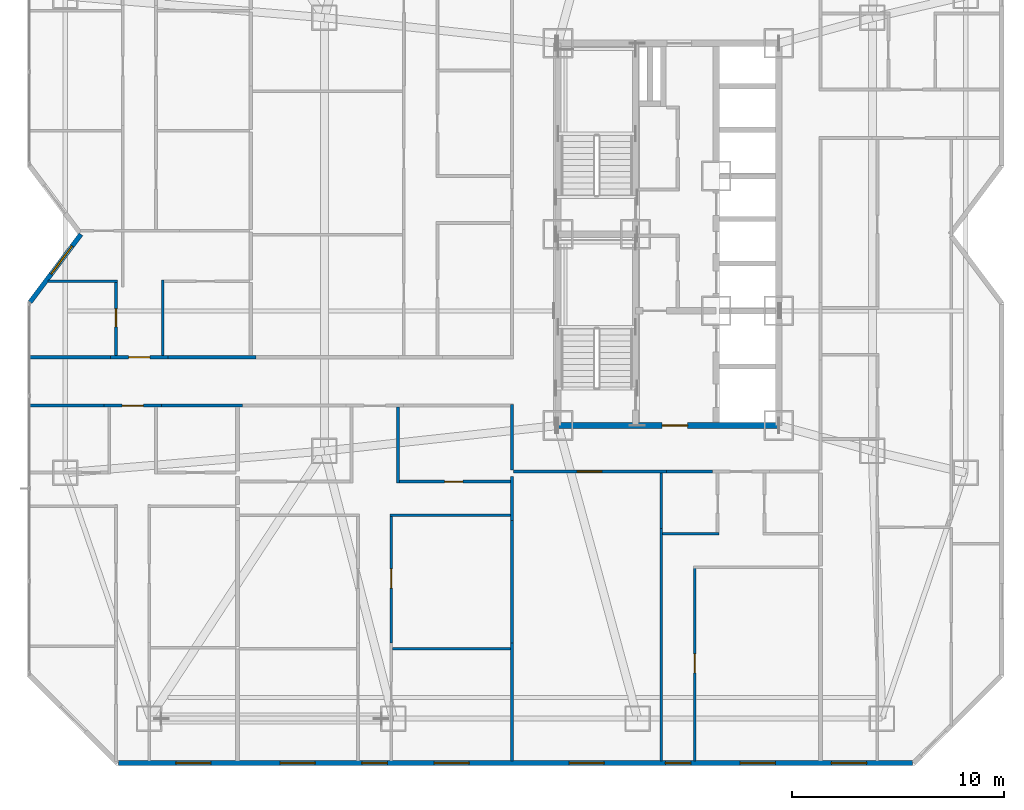
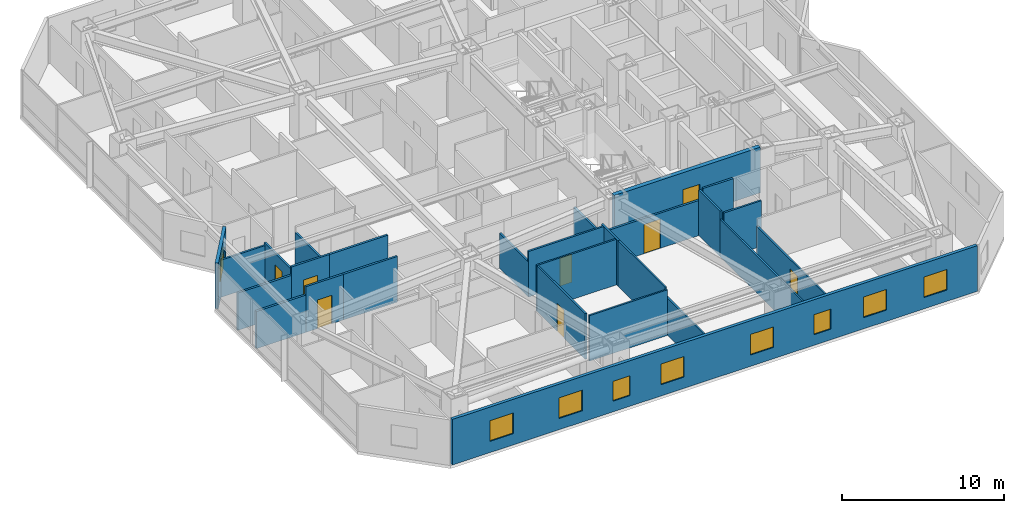
# One storey, part 18 of 25: 27 walls, 9 windows, 8 doors, 17 openings.
"""IFC4 building model written with IfcOpenShell, lengths in metres."""

from ifc_helpers import new_model, si_unit, direction, frame, frame_2d, origin, place, context, subcontext, project, spatial, rectangle, extrude, material, layer, layer_set, type_object, element, fill, save


model = new_model("IFC4")

# Units and contexts
model_context = context("Model", 3, precision=1e-05, world=origin(), true_north=direction((0.0, 1.0)))
body_context = subcontext(model_context, "Body", "Model", "MODEL_VIEW")
ifc_project = project(units=[si_unit("LENGTHUNIT", "METRE"), si_unit("AREAUNIT", "SQUARE_METRE"), si_unit("VOLUMEUNIT", "CUBIC_METRE"), si_unit("PLANEANGLEUNIT", "RADIAN"), si_unit("MASSUNIT", "GRAM", prefix="KILO")], contexts=[model_context])

# Site, building, storey
site_placement = place(None, origin())
site = spatial("IfcSite", under=ifc_project, at=site_placement, CompositionType="ELEMENT")
building_placement = place(site_placement, origin())
building = spatial("IfcBuilding", under=site, at=building_placement, Name="Khamvora Tower", CompositionType="ELEMENT")
storey_placement = place(building_placement, frame((0.0, 0.0, 36.949951171875)))
storey = spatial("IfcBuildingStorey", under=building, at=storey_placement, Name="L08", CompositionType="ELEMENT", Elevation=36.949951171875)

# Wall, opening, door
ifc_material_1 = material(Name="Concrete C50/60", Category="concrete")
ifc_layer_1 = layer(ifc_material_1, 0.300048828125)
ifc_layer_set_1 = layer_set([ifc_layer_1], Name="Concrete C50/60")
wall_type_1 = type_object("IfcWallType", Name="WAL-CORE-300", PredefinedType="SHEAR", material=ifc_layer_set_1)
wall_1_placement = place(storey_placement, frame((29.0, 19.0, 0.0), z_axis=(0.0, 0.0, 1.0), x_axis=(1.0, 0.0, 0.0)))
wall_1 = element("IfcWall", 1, at=wall_1_placement, inside=storey, type_object=wall_type_1, Name="L08 central core south wall", PredefinedType="SHEAR", context=body_context, shape_type="SweptSolid", body=[
    extrude(rectangle(XDim=10.39990234375, YDim=0.300048828125, at=frame_2d((5.199951171875, 0.0))), origin(), (0.0, 0.0, 1.0), 3.429931640625),
])
opening_1_placement = place(wall_1_placement, frame((4.89990234375, 0.0, 0.0)))
opening_1 = element("IfcOpeningElement", 2, at=opening_1_placement, cuts=wall_1, Name="Opening D-CR1", PredefinedType="OPENING", context=body_context, shape_type="SweptSolid", body=[
    extrude(rectangle(XDim=1.199951171875, YDim=2.14990234375, at=frame_2d((0.60009765625, 1.074951171875))), frame((0.0, 0.159912109375, 0.0), z_axis=(0.0, -1.0, 0.0), x_axis=(1.0, 0.0, 0.0)), (0.0, 0.0, 1.0), 0.320068359375),
])
ifc_material_2 = material(Name="Powder-Coated Steel and Hardwood Leaf", Category="steel")
door_type_1 = type_object("IfcDoorType", Name="DOR-CORR-1200", OperationType="NOTDEFINED", PredefinedType="DOOR", material=ifc_material_2)
door_1_placement = place(opening_1_placement, origin())
door_1 = element("IfcDoor", 3, at=door_1_placement, inside=storey, type_object=door_type_1, Name="L08 south core lobby to corridor fire door", OperationType="SINGLE_SWING_RIGHT", OverallHeight=2.14990234375, OverallWidth=1.199951171875, PredefinedType="DOOR", context=body_context, shape_type="SweptSolid", body=[
    extrude(rectangle(XDim=1.199951171875, YDim=2.14990234375, at=frame_2d((0.60009765625, 1.074951171875))), frame((0.0, 0.02490234375, 0.0), z_axis=(0.0, -1.0, 0.0), x_axis=(1.0, 0.0, 0.0)), (0.0, 0.0, 1.0), 0.050048828125),
])
fill(opening_1, door_1)

ifc_material_3 = material(Name="Fire-Rated Drywall and Steel Stud", Category="steel")
ifc_layer_2 = layer(ifc_material_3, 0.14990234375)
ifc_layer_set_2 = layer_set([ifc_layer_2], Name="Fire-Rated Drywall and Steel Stud")
wall_type_2 = type_object("IfcWallType", Name="WAL-CORR-150", PredefinedType="STANDARD", material=ifc_layer_set_2)
wall_2_placement = place(storey_placement, frame((34.114013671875, 16.8349609375, 0.0), z_axis=(0.0, 0.0, 1.0), x_axis=(-1.0, 0.0, 0.0)))
wall_2 = element("IfcWall", 4, at=wall_2_placement, inside=storey, type_object=wall_type_2, Name="L08 interior partition wall 006", PredefinedType="STANDARD", context=body_context, shape_type="SweptSolid", body=[
    extrude(rectangle(XDim=7.214111328125, YDim=0.14990234375, at=frame_2d((3.60693359375, 0.0))), origin(), (0.0, 0.0, 1.0), 2.64697265625),
])
opening_2_placement = place(wall_2_placement, frame((3.052978515625, 0.0, 0.0)))
opening_2 = element("IfcOpeningElement", 5, at=opening_2_placement, cuts=wall_2, Name="Opening D-SC1", PredefinedType="OPENING", context=body_context, shape_type="SweptSolid", body=[
    extrude(rectangle(XDim=1.14990234375, YDim=2.199951171875, at=frame_2d((0.574951171875, 1.10009765625))), frame((0.0, 0.0849609375, 0.0), z_axis=(0.0, -1.0, 0.0), x_axis=(1.0, 0.0, 0.0)), (0.0, 0.0, 1.0), 0.169921875),
])
door_type_2 = type_object("IfcDoorType", Name="DOR-SCHL-1150", OperationType="NOTDEFINED", PredefinedType="DOOR", material=ifc_material_2)
door_2_placement = place(opening_2_placement, origin())
door_2 = element("IfcDoor", 6, at=door_2_placement, inside=storey, type_object=door_type_2, Name="L08 interior door COR-RLIB", OperationType="SINGLE_SWING_RIGHT", OverallHeight=2.199951171875, OverallWidth=1.14990234375, PredefinedType="DOOR", context=body_context, shape_type="SweptSolid", body=[
    extrude(rectangle(XDim=1.14990234375, YDim=2.199951171875, at=frame_2d((0.574951171875, 1.10009765625))), frame((0.0, 0.02490234375, 0.0), z_axis=(0.0, -1.0, 0.0), x_axis=(1.0, 0.0, 0.0)), (0.0, 0.0, 1.0), 0.050048828125),
])
fill(opening_2, door_2)

wall_3_placement = place(storey_placement, frame((10.323974609375, 19.93505859375, 0.0), z_axis=(0.0, 0.0, 1.0), x_axis=(-1.0, 0.0, 0.0)))
wall_3 = element("IfcWall", 7, at=wall_3_placement, inside=storey, type_object=wall_type_2, Name="L08 interior partition wall 007", PredefinedType="STANDARD", context=body_context, shape_type="SweptSolid", body=[
    extrude(rectangle(XDim=2.697998046875, YDim=0.14990234375, at=frame_2d((1.34912109375, 0.0))), origin(), (0.0, 0.0, 1.0), 3.429931640625),
])
opening_3_placement = place(wall_3_placement, frame((0.84912109375, 0.0, 0.0)))
opening_3 = element("IfcOpeningElement", 8, at=opening_3_placement, cuts=wall_3, Name="Opening D-U1", PredefinedType="OPENING", context=body_context, shape_type="SweptSolid", body=[
    extrude(rectangle(XDim=1.0, YDim=2.14990234375, at=frame_2d((0.5, 1.074951171875))), frame((0.0, 0.0849609375, 0.0), z_axis=(0.0, -1.0, 0.0), x_axis=(1.0, 0.0, 0.0)), (0.0, 0.0, 1.0), 0.169921875),
])
door_type_3 = type_object("IfcDoorType", Name="DOR-UNIT-1000", OperationType="NOTDEFINED", PredefinedType="DOOR", material=ifc_material_2)
door_3_placement = place(opening_3_placement, origin())
door_3 = element("IfcDoor", 9, at=door_3_placement, inside=storey, type_object=door_type_3, Name="L08 interior door COR-08WAH", OperationType="SINGLE_SWING_LEFT", OverallHeight=2.14990234375, OverallWidth=1.0, PredefinedType="DOOR", context=body_context, shape_type="SweptSolid", body=[
    extrude(rectangle(XDim=1.0, YDim=2.14990234375, at=frame_2d((0.5, 1.074951171875))), frame((0.0, 0.02490234375, 0.0), z_axis=(0.0, -1.0, 0.0), x_axis=(1.0, 0.0, 0.0)), (0.0, 0.0, 1.0), 0.050048828125),
])
fill(opening_3, door_3)

# Walls
wall_4_placement = place(storey_placement, frame((7.6259765625, 19.93505859375, 0.0), z_axis=(0.0, 0.0, 1.0), x_axis=(-1.0, 0.0, 0.0)))
element("IfcWall", 10, at=wall_4_placement, inside=storey, type_object=wall_type_2, Name="L08 interior partition wall 008", PredefinedType="STANDARD", context=body_context, shape_type="SweptSolid", body=[
    extrude(rectangle(XDim=3.515869140625, YDim=0.14990234375, at=frame_2d((1.7578125, 0.0))), origin(), (0.0, 0.0, 1.0), 2.802978515625),
])
wall_5_placement = place(storey_placement, frame((14.154052734375, 19.93505859375, 0.0), z_axis=(0.0, 0.0, 1.0), x_axis=(-1.0, 0.0, 0.0)))
element("IfcWall", 11, at=wall_5_placement, inside=storey, type_object=wall_type_2, Name="L08 interior partition wall 009", PredefinedType="STANDARD", context=body_context, shape_type="SweptSolid", body=[
    extrude(rectangle(XDim=3.830078125, YDim=0.14990234375, at=frame_2d((1.9150390625, 0.0))), origin(), (0.0, 0.0, 1.0), 3.429931640625),
])
wall_6_placement = place(storey_placement, frame((26.8349609375, 16.89990234375, 0.0), z_axis=(0.0, 0.0, 1.0), x_axis=(0.0, 1.0, 0.0)))
element("IfcWall", 12, at=wall_6_placement, inside=storey, type_object=wall_type_2, Name="L08 interior partition wall 011", PredefinedType="STANDARD", context=body_context, shape_type="SweptSolid", body=[
    extrude(rectangle(XDim=3.10009765625, YDim=0.14990234375, at=frame_2d((1.550048828125, 0.0))), origin(), (0.0, 0.0, 1.0), 2.64697265625),
])

# Wall, opening, door
wall_7_placement = place(storey_placement, frame((7.93994140625, 22.215087890625, 0.0), z_axis=(0.0, 0.0, 1.0), x_axis=(1.0, 0.0, 0.0)))
wall_7 = element("IfcWall", 13, at=wall_7_placement, inside=storey, type_object=wall_type_2, Name="L08 interior partition wall 014", PredefinedType="STANDARD", context=body_context, shape_type="SweptSolid", body=[
    extrude(rectangle(XDim=2.697998046875, YDim=0.14990234375, at=frame_2d((1.34912109375, 0.0))), origin(), (0.0, 0.0, 1.0), 3.429931640625),
])
opening_4_placement = place(wall_7_placement, frame((0.84912109375, 0.0, 0.0)))
opening_4 = element("IfcOpeningElement", 14, at=opening_4_placement, cuts=wall_7, Name="Opening D-U1", PredefinedType="OPENING", context=body_context, shape_type="SweptSolid", body=[
    extrude(rectangle(XDim=1.0, YDim=2.14990234375, at=frame_2d((0.5, 1.074951171875))), frame((0.0, 0.0849609375, 0.0), z_axis=(0.0, -1.0, 0.0), x_axis=(1.0, 0.0, 0.0)), (0.0, 0.0, 1.0), 0.169921875),
])
door_4_placement = place(opening_4_placement, origin())
door_4 = element("IfcDoor", 15, at=door_4_placement, inside=storey, type_object=door_type_3, Name="L08 interior door COR-08WC1H", OperationType="SINGLE_SWING_LEFT", OverallHeight=2.14990234375, OverallWidth=1.0, PredefinedType="DOOR", context=body_context, shape_type="SweptSolid", body=[
    extrude(rectangle(XDim=1.0, YDim=2.14990234375, at=frame_2d((0.5, 1.074951171875))), frame((0.0, 0.02490234375, 0.0), z_axis=(0.0, -1.0, 0.0), x_axis=(1.0, 0.0, 0.0)), (0.0, 0.0, 1.0), 0.050048828125),
])
fill(opening_4, door_4)

# Walls
wall_8_placement = place(storey_placement, frame((4.110107421875, 22.215087890625, 0.0), z_axis=(0.0, 0.0, 1.0), x_axis=(1.0, 0.0, 0.0)))
element("IfcWall", 16, at=wall_8_placement, inside=storey, type_object=wall_type_2, Name="L08 interior partition wall 015", PredefinedType="STANDARD", context=body_context, shape_type="SweptSolid", body=[
    extrude(rectangle(XDim=3.829833984375, YDim=0.14990234375, at=frame_2d((1.9150390625, 0.0))), origin(), (0.0, 0.0, 1.0), 2.802978515625),
])
wall_9_placement = place(storey_placement, frame((10.637939453125, 22.215087890625, 0.0), z_axis=(0.0, 0.0, 1.0), x_axis=(1.0, 0.0, 0.0)))
element("IfcWall", 17, at=wall_9_placement, inside=storey, type_object=wall_type_2, Name="L08 interior partition wall 016", PredefinedType="STANDARD", context=body_context, shape_type="SweptSolid", body=[
    extrude(rectangle(XDim=4.14501953125, YDim=0.14990234375, at=frame_2d((2.072509765625, 0.0))), origin(), (0.0, 0.0, 1.0), 3.429931640625),
])
wall_10_placement = place(storey_placement, frame((36.26611328125, 16.8349609375, 0.0), z_axis=(0.0, 0.0, 1.0), x_axis=(-1.0, 0.0, 0.0)))
element("IfcWall", 18, at=wall_10_placement, inside=storey, type_object=wall_type_2, Name="L08 interior partition wall 025", PredefinedType="STANDARD", context=body_context, shape_type="SweptSolid", body=[
    extrude(rectangle(XDim=2.152099609375, YDim=0.14990234375, at=frame_2d((1.076171875, 0.0))), origin(), (0.0, 0.0, 1.0), 3.429931640625),
])

# Wall, opening, window
ifc_material_4 = material(Name="Precast concrete C40/50", Category="concrete")
ifc_layer_3 = layer(ifc_material_4, 0.219970703125)
ifc_layer_set_3 = layer_set([ifc_layer_3], Name="Precast concrete C40/50")
wall_type_3 = type_object("IfcWallType", Name="WAL-EXT-220", PredefinedType="STANDARD", material=ifc_layer_set_3)
wall_11_placement = place(storey_placement, frame((4.14501953125, 24.80908203125, 0.0), z_axis=(0.0, 0.0, 1.0), x_axis=(0.599823674734, 0.800132213592, 0.0)))
wall_11 = element("IfcWall", 19, at=wall_11_placement, inside=storey, type_object=wall_type_3, Name="L08 exterior facade wall 03.1", PredefinedType="STANDARD", context=body_context, shape_type="SweptSolid", body=[
    extrude(rectangle(XDim=3.988037109375, YDim=0.219970703125, at=frame_2d((1.994140625, 0.0))), origin(), (0.0, 0.0, 1.0), 3.429931640625),
])
opening_5_placement = place(wall_11_placement, frame((1.65087890625, 0.0, 0.85009765625)))
opening_5 = element("IfcOpeningElement", 20, at=opening_5_placement, cuts=wall_11, Name="Opening WN-06", PredefinedType="OPENING", context=body_context, shape_type="SweptSolid", body=[
    extrude(rectangle(XDim=1.64990234375, YDim=1.550048828125, at=frame_2d((0.824951171875, 0.77490234375))), frame((0.0, 0.119873046875, 0.0), z_axis=(0.0, -1.0, 0.0), x_axis=(1.0, 0.0, 0.0)), (0.0, 0.0, 1.0), 0.239990234375),
])
ifc_material_5 = material(Name="Low-E Laminated Double Glazing", Category="glass")
window_type_1 = type_object("IfcWindowType", Name="WIN-VIS-1650x1550", PartitioningType="SINGLE_PANEL", PredefinedType="WINDOW", material=ifc_material_5)
window_1_placement = place(opening_5_placement, origin())
window_1 = element("IfcWindow", 21, at=window_1_placement, inside=storey, type_object=window_type_1, Name="L08 vision window 03.1.01", OverallHeight=1.550048828125, OverallWidth=1.64990234375, PartitioningType="SINGLE_PANEL", PredefinedType="WINDOW", context=body_context, shape_type="SweptSolid", body=[
    extrude(rectangle(XDim=1.64990234375, YDim=1.550048828125, at=frame_2d((0.824951171875, 0.77490234375))), frame((0.0, 0.030029296875, 0.0), z_axis=(0.0, -1.0, 0.0), x_axis=(1.0, 0.0, 0.0)), (0.0, 0.0, 1.0), 0.06005859375),
])
fill(opening_5, window_1)

# Wall, openings, windows
wall_12_placement = place(storey_placement, frame((45.68310546875, 3.110107421875, 0.0), z_axis=(0.0, 0.0, 1.0), x_axis=(-1.0, 0.0, 0.0)))
wall_12 = element("IfcWall", 22, at=wall_12_placement, inside=storey, type_object=wall_type_3, Name="L08 exterior facade wall 14.1", PredefinedType="STANDARD", context=body_context, shape_type="SweptSolid", body=[
    extrude(rectangle(XDim=37.3681640625, YDim=0.219970703125, at=frame_2d((18.68408203125, 0.0))), origin(), (0.0, 0.0, 1.0), 3.429931640625),
])
opening_6_placement = place(wall_12_placement, frame((14.508056640625, 0.0, 0.85009765625)))
opening_6 = element("IfcOpeningElement", 23, at=opening_6_placement, cuts=wall_12, Name="Opening WN-06", PredefinedType="OPENING", context=body_context, shape_type="SweptSolid", body=[
    extrude(rectangle(XDim=1.64990234375, YDim=1.550048828125, at=frame_2d((0.824951171875, 0.77490234375))), frame((0.0, 0.119873046875, 0.0), z_axis=(0.0, -1.0, 0.0), x_axis=(1.0, 0.0, 0.0)), (0.0, 0.0, 1.0), 0.239990234375),
])
opening_7_placement = place(wall_12_placement, frame((33.02490234375, 0.0, 0.85009765625)))
opening_7 = element("IfcOpeningElement", 24, at=opening_7_placement, cuts=wall_12, Name="Opening WN-06", PredefinedType="OPENING", context=body_context, shape_type="SweptSolid", body=[
    extrude(rectangle(XDim=1.64990234375, YDim=1.550048828125, at=frame_2d((0.824951171875, 0.77490234375))), frame((0.0, 0.119873046875, 0.0), z_axis=(0.0, -1.0, 0.0), x_axis=(1.0, 0.0, 0.0)), (0.0, 0.0, 1.0), 0.239990234375),
])
opening_8_placement = place(wall_12_placement, frame((24.712890625, 0.0, 0.800048828125)))
opening_8 = element("IfcOpeningElement", 25, at=opening_8_placement, cuts=wall_12, Name="Opening WN-03", PredefinedType="OPENING", context=body_context, shape_type="SweptSolid", body=[
    extrude(rectangle(XDim=1.199951171875, YDim=1.5, at=frame_2d((0.60009765625, 0.75))), frame((0.0, 0.119873046875, 0.0), z_axis=(0.0, -1.0, 0.0), x_axis=(1.0, 0.0, 0.0)), (0.0, 0.0, 1.0), 0.239990234375),
])
opening_9_placement = place(wall_12_placement, frame((28.113037109375, 0.0, 0.85009765625)))
opening_9 = element("IfcOpeningElement", 26, at=opening_9_placement, cuts=wall_12, Name="Opening WN-06", PredefinedType="OPENING", context=body_context, shape_type="SweptSolid", body=[
    extrude(rectangle(XDim=1.64990234375, YDim=1.550048828125, at=frame_2d((0.824951171875, 0.77490234375))), frame((0.0, 0.119873046875, 0.0), z_axis=(0.0, -1.0, 0.0), x_axis=(1.0, 0.0, 0.0)), (0.0, 0.0, 1.0), 0.239990234375),
])
opening_10_placement = place(wall_12_placement, frame((20.863037109375, 0.0, 0.85009765625)))
opening_10 = element("IfcOpeningElement", 27, at=opening_10_placement, cuts=wall_12, Name="Opening WN-06", PredefinedType="OPENING", context=body_context, shape_type="SweptSolid", body=[
    extrude(rectangle(XDim=1.64990234375, YDim=1.550048828125, at=frame_2d((0.824951171875, 0.77490234375))), frame((0.0, 0.119873046875, 0.0), z_axis=(0.0, -1.0, 0.0), x_axis=(1.0, 0.0, 0.0)), (0.0, 0.0, 1.0), 0.239990234375),
])
opening_11_placement = place(wall_12_placement, frame((10.427978515625, 0.0, 0.800048828125)))
opening_11 = element("IfcOpeningElement", 28, at=opening_11_placement, cuts=wall_12, Name="Opening WN-03", PredefinedType="OPENING", context=body_context, shape_type="SweptSolid", body=[
    extrude(rectangle(XDim=1.199951171875, YDim=1.5, at=frame_2d((0.60009765625, 0.75))), frame((0.0, 0.119873046875, 0.0), z_axis=(0.0, -1.0, 0.0), x_axis=(1.0, 0.0, 0.0)), (0.0, 0.0, 1.0), 0.239990234375),
])
opening_12_placement = place(wall_12_placement, frame((6.452880859375, 0.0, 0.85009765625)))
opening_12 = element("IfcOpeningElement", 29, at=opening_12_placement, cuts=wall_12, Name="Opening WN-06", PredefinedType="OPENING", context=body_context, shape_type="SweptSolid", body=[
    extrude(rectangle(XDim=1.64990234375, YDim=1.550048828125, at=frame_2d((0.824951171875, 0.77490234375))), frame((0.0, 0.119873046875, 0.0), z_axis=(0.0, -1.0, 0.0), x_axis=(1.0, 0.0, 0.0)), (0.0, 0.0, 1.0), 0.239990234375),
])
opening_13_placement = place(wall_12_placement, frame((2.156982421875, 0.0, 0.85009765625)))
opening_13 = element("IfcOpeningElement", 30, at=opening_13_placement, cuts=wall_12, Name="Opening WN-06", PredefinedType="OPENING", context=body_context, shape_type="SweptSolid", body=[
    extrude(rectangle(XDim=1.64990234375, YDim=1.550048828125, at=frame_2d((0.824951171875, 0.77490234375))), frame((0.0, 0.119873046875, 0.0), z_axis=(0.0, -1.0, 0.0), x_axis=(1.0, 0.0, 0.0)), (0.0, 0.0, 1.0), 0.239990234375),
])
window_type_2 = type_object("IfcWindowType", Name="WIN-VIS-1200x1500", PartitioningType="SINGLE_PANEL", PredefinedType="WINDOW", material=ifc_material_5)
window_2_placement = place(opening_8_placement, origin())
window_2 = element("IfcWindow", 31, at=window_2_placement, inside=storey, type_object=window_type_2, Name="L08 vision window 14.1.03", OverallHeight=1.5, OverallWidth=1.199951171875, PartitioningType="SINGLE_PANEL", PredefinedType="WINDOW", context=body_context, shape_type="SweptSolid", body=[
    extrude(rectangle(XDim=1.199951171875, YDim=1.5, at=frame_2d((0.60009765625, 0.75))), frame((0.0, 0.030029296875, 0.0), z_axis=(0.0, -1.0, 0.0), x_axis=(1.0, 0.0, 0.0)), (0.0, 0.0, 1.0), 0.06005859375),
])
fill(opening_8, window_2)
window_3_placement = place(opening_11_placement, origin())
window_3 = element("IfcWindow", 32, at=window_3_placement, inside=storey, type_object=window_type_2, Name="L08 vision window 14.1.06", OverallHeight=1.5, OverallWidth=1.199951171875, PartitioningType="SINGLE_PANEL", PredefinedType="WINDOW", context=body_context, shape_type="SweptSolid", body=[
    extrude(rectangle(XDim=1.199951171875, YDim=1.5, at=frame_2d((0.60009765625, 0.75))), frame((0.0, 0.030029296875, 0.0), z_axis=(0.0, -1.0, 0.0), x_axis=(1.0, 0.0, 0.0)), (0.0, 0.0, 1.0), 0.06005859375),
])
fill(opening_11, window_3)
window_4_placement = place(opening_6_placement, origin())
window_4 = element("IfcWindow", 33, at=window_4_placement, inside=storey, type_object=window_type_1, Name="L08 vision window 14.1.01", OverallHeight=1.550048828125, OverallWidth=1.64990234375, PartitioningType="SINGLE_PANEL", PredefinedType="WINDOW", context=body_context, shape_type="SweptSolid", body=[
    extrude(rectangle(XDim=1.64990234375, YDim=1.550048828125, at=frame_2d((0.824951171875, 0.77490234375))), frame((0.0, 0.030029296875, 0.0), z_axis=(0.0, -1.0, 0.0), x_axis=(1.0, 0.0, 0.0)), (0.0, 0.0, 1.0), 0.06005859375),
])
fill(opening_6, window_4)
window_5_placement = place(opening_7_placement, origin())
window_5 = element("IfcWindow", 34, at=window_5_placement, inside=storey, type_object=window_type_1, Name="L08 vision window 14.1.02", OverallHeight=1.550048828125, OverallWidth=1.64990234375, PartitioningType="SINGLE_PANEL", PredefinedType="WINDOW", context=body_context, shape_type="SweptSolid", body=[
    extrude(rectangle(XDim=1.64990234375, YDim=1.550048828125, at=frame_2d((0.824951171875, 0.77490234375))), frame((0.0, 0.030029296875, 0.0), z_axis=(0.0, -1.0, 0.0), x_axis=(1.0, 0.0, 0.0)), (0.0, 0.0, 1.0), 0.06005859375),
])
fill(opening_7, window_5)
window_6_placement = place(opening_9_placement, origin())
window_6 = element("IfcWindow", 35, at=window_6_placement, inside=storey, type_object=window_type_1, Name="L08 vision window 14.1.04", OverallHeight=1.550048828125, OverallWidth=1.64990234375, PartitioningType="SINGLE_PANEL", PredefinedType="WINDOW", context=body_context, shape_type="SweptSolid", body=[
    extrude(rectangle(XDim=1.64990234375, YDim=1.550048828125, at=frame_2d((0.824951171875, 0.77490234375))), frame((0.0, 0.030029296875, 0.0), z_axis=(0.0, -1.0, 0.0), x_axis=(1.0, 0.0, 0.0)), (0.0, 0.0, 1.0), 0.06005859375),
])
fill(opening_9, window_6)
window_7_placement = place(opening_10_placement, origin())
window_7 = element("IfcWindow", 36, at=window_7_placement, inside=storey, type_object=window_type_1, Name="L08 vision window 14.1.05", OverallHeight=1.550048828125, OverallWidth=1.64990234375, PartitioningType="SINGLE_PANEL", PredefinedType="WINDOW", context=body_context, shape_type="SweptSolid", body=[
    extrude(rectangle(XDim=1.64990234375, YDim=1.550048828125, at=frame_2d((0.824951171875, 0.77490234375))), frame((0.0, 0.030029296875, 0.0), z_axis=(0.0, -1.0, 0.0), x_axis=(1.0, 0.0, 0.0)), (0.0, 0.0, 1.0), 0.06005859375),
])
fill(opening_10, window_7)
window_8_placement = place(opening_12_placement, origin())
window_8 = element("IfcWindow", 37, at=window_8_placement, inside=storey, type_object=window_type_1, Name="L08 vision window 14.1.07", OverallHeight=1.550048828125, OverallWidth=1.64990234375, PartitioningType="SINGLE_PANEL", PredefinedType="WINDOW", context=body_context, shape_type="SweptSolid", body=[
    extrude(rectangle(XDim=1.64990234375, YDim=1.550048828125, at=frame_2d((0.824951171875, 0.77490234375))), frame((0.0, 0.030029296875, 0.0), z_axis=(0.0, -1.0, 0.0), x_axis=(1.0, 0.0, 0.0)), (0.0, 0.0, 1.0), 0.06005859375),
])
fill(opening_12, window_8)
window_9_placement = place(opening_13_placement, origin())
window_9 = element("IfcWindow", 38, at=window_9_placement, inside=storey, type_object=window_type_1, Name="L08 vision window 14.1.08", OverallHeight=1.550048828125, OverallWidth=1.64990234375, PartitioningType="SINGLE_PANEL", PredefinedType="WINDOW", context=body_context, shape_type="SweptSolid", body=[
    extrude(rectangle(XDim=1.64990234375, YDim=1.550048828125, at=frame_2d((0.824951171875, 0.77490234375))), frame((0.0, 0.030029296875, 0.0), z_axis=(0.0, -1.0, 0.0), x_axis=(1.0, 0.0, 0.0)), (0.0, 0.0, 1.0), 0.06005859375),
])
fill(opening_13, window_9)

# Walls
ifc_material_6 = material(Name="Gypsum Plasterboard Partition", Category="gypsum")
ifc_layer_4 = layer(ifc_material_6, 0.1201171875)
ifc_layer_set_4 = layer_set([ifc_layer_4], Name="Gypsum Plasterboard Partition")
wall_type_4 = type_object("IfcWallType", Name="WAL-PART-120", PredefinedType="PARTITIONING", material=ifc_layer_set_4)
wall_13_placement = place(storey_placement, frame((26.8349609375, 14.52587890625, 0.0), z_axis=(0.0, 0.0, 1.0), x_axis=(0.0, 1.0, 0.0)))
element("IfcWall", 39, at=wall_13_placement, inside=storey, type_object=wall_type_4, Name="L08 interior partition wall 042", PredefinedType="PARTITIONING", context=body_context, shape_type="SweptSolid", body=[
    extrude(rectangle(XDim=2.078125, YDim=0.1201171875, at=frame_2d((1.0390625, 0.0))), origin(), (0.0, 0.0, 1.0), 3.429931640625),
])
wall_14_placement = place(storey_placement, frame((26.8349609375, 3.2119140625, 0.0), z_axis=(0.0, 0.0, 1.0), x_axis=(0.0, 1.0, 0.0)))
element("IfcWall", 40, at=wall_14_placement, inside=storey, type_object=wall_type_4, Name="L08 interior partition wall 043", PredefinedType="PARTITIONING", context=body_context, shape_type="SweptSolid", body=[
    extrude(rectangle(XDim=5.5361328125, YDim=0.1201171875, at=frame_2d((2.76806640625, 0.0))), origin(), (0.0, 0.0, 1.0), 2.802978515625),
])
wall_15_placement = place(storey_placement, frame((26.8349609375, 8.748046875, 0.0), z_axis=(0.0, 0.0, 1.0), x_axis=(0.0, 1.0, 0.0)))
element("IfcWall", 41, at=wall_15_placement, inside=storey, type_object=wall_type_4, Name="L08 interior partition wall 044", PredefinedType="PARTITIONING", context=body_context, shape_type="SweptSolid", body=[
    extrude(rectangle(XDim=5.77783203125, YDim=0.1201171875, at=frame_2d((2.888916015625, 0.0))), origin(), (0.0, 0.0, 1.0), 3.429931640625),
])
wall_16_placement = place(storey_placement, frame((33.864990234375, 14.155029296875, 0.0), z_axis=(0.0, 0.0, 1.0), x_axis=(0.0, -1.0, 0.0)))
element("IfcWall", 42, at=wall_16_placement, inside=storey, type_object=wall_type_4, Name="L08 interior partition wall 045", PredefinedType="PARTITIONING", context=body_context, shape_type="SweptSolid", body=[
    extrude(rectangle(XDim=10.943115234375, YDim=0.1201171875, at=frame_2d((5.4716796875, 0.0))), origin(), (0.0, 0.0, 1.0), 2.802978515625),
])

# Wall, opening, door
wall_17_placement = place(storey_placement, frame((21.155029296875, 14.840087890625, 0.0), z_axis=(0.0, 0.0, 1.0), x_axis=(0.0, -1.0, 0.0)))
wall_17 = element("IfcWall", 43, at=wall_17_placement, inside=storey, type_object=wall_type_4, Name="L08 interior partition wall 072", PredefinedType="PARTITIONING", context=body_context, shape_type="SweptSolid", body=[
    extrude(rectangle(XDim=6.092041015625, YDim=0.1201171875, at=frame_2d((3.0458984375, 0.0))), origin(), (0.0, 0.0, 1.0), 3.429931640625),
])
opening_14_placement = place(wall_17_placement, frame((2.595947265625, 0.0, 0.0)))
opening_14 = element("IfcOpeningElement", 44, at=opening_14_placement, cuts=wall_17, Name="Opening D-RM1", PredefinedType="OPENING", context=body_context, shape_type="SweptSolid", body=[
    extrude(rectangle(XDim=0.89990234375, YDim=2.10009765625, at=frame_2d((0.449951171875, 1.050048828125))), frame((0.0, 0.070068359375, 0.0), z_axis=(0.0, -1.0, 0.0), x_axis=(1.0, 0.0, 0.0)), (0.0, 0.0, 1.0), 0.14013671875),
])
door_type_4 = type_object("IfcDoorType", Name="DOR-ROOM-900", OperationType="NOTDEFINED", PredefinedType="DOOR", material=ifc_material_2)
door_5_placement = place(opening_14_placement, origin())
door_5 = element("IfcDoor", 45, at=door_5_placement, inside=storey, type_object=door_type_4, Name="L08 interior door 08WBH-08WBR4", OperationType="SINGLE_SWING_RIGHT", OverallHeight=2.10009765625, OverallWidth=0.89990234375, PredefinedType="DOOR", context=body_context, shape_type="SweptSolid", body=[
    extrude(rectangle(XDim=0.89990234375, YDim=2.10009765625, at=frame_2d((0.449951171875, 1.050048828125))), frame((0.0, 0.02490234375, 0.0), z_axis=(0.0, -1.0, 0.0), x_axis=(1.0, 0.0, 0.0)), (0.0, 0.0, 1.0), 0.050048828125),
])
fill(opening_14, door_5)

# Walls
wall_18_placement = place(storey_placement, frame((26.781005859375, 14.77490234375, 0.0), z_axis=(0.0, 0.0, 1.0), x_axis=(-1.0, 0.0, 0.0)))
element("IfcWall", 46, at=wall_18_placement, inside=storey, type_object=wall_type_4, Name="L08 interior partition wall 073", PredefinedType="PARTITIONING", context=body_context, shape_type="SweptSolid", body=[
    extrude(rectangle(XDim=5.69091796875, YDim=0.1201171875, at=frame_2d((2.845458984375, 0.0))), origin(), (0.0, 0.0, 1.0), 3.429931640625),
])
wall_19_placement = place(storey_placement, frame((21.208984375, 8.498046875, 0.0), z_axis=(0.0, 0.0, 1.0), x_axis=(1.0, 0.0, 0.0)))
element("IfcWall", 47, at=wall_19_placement, inside=storey, type_object=wall_type_4, Name="L08 interior partition wall 075", PredefinedType="PARTITIONING", context=body_context, shape_type="SweptSolid", body=[
    extrude(rectangle(XDim=5.572021484375, YDim=0.1201171875, at=frame_2d((2.7861328125, 0.0))), origin(), (0.0, 0.0, 1.0), 3.429931640625),
])

# Wall, opening, door
wall_20_placement = place(storey_placement, frame((35.445068359375, 12.39111328125, 0.0), z_axis=(0.0, 0.0, 1.0), x_axis=(0.0, -1.0, 0.0)))
wall_20 = element("IfcWall", 48, at=wall_20_placement, inside=storey, type_object=wall_type_4, Name="L08 interior partition wall 128", PredefinedType="PARTITIONING", context=body_context, shape_type="SweptSolid", body=[
    extrude(rectangle(XDim=9.17919921875, YDim=0.1201171875, at=frame_2d((4.589599609375, 0.0))), origin(), (0.0, 0.0, 1.0), 2.802978515625),
])
opening_15_placement = place(wall_20_placement, frame((4.138916015625, 0.0, 0.0)))
opening_15 = element("IfcOpeningElement", 49, at=opening_15_placement, cuts=wall_20, Name="Opening D-RM1", PredefinedType="OPENING", context=body_context, shape_type="SweptSolid", body=[
    extrude(rectangle(XDim=0.89990234375, YDim=2.10009765625, at=frame_2d((0.449951171875, 1.050048828125))), frame((0.0, 0.070068359375, 0.0), z_axis=(0.0, -1.0, 0.0), x_axis=(1.0, 0.0, 0.0)), (0.0, 0.0, 1.0), 0.14013671875),
])
door_6_placement = place(opening_15_placement, origin())
door_6 = element("IfcDoor", 50, at=door_6_placement, inside=storey, type_object=door_type_4, Name="L08 interior door 08SAH-08SAR1", OperationType="SINGLE_SWING_RIGHT", OverallHeight=2.10009765625, OverallWidth=0.89990234375, PredefinedType="DOOR", context=body_context, shape_type="SweptSolid", body=[
    extrude(rectangle(XDim=0.89990234375, YDim=2.10009765625, at=frame_2d((0.449951171875, 1.050048828125))), frame((0.0, 0.02490234375, 0.0), z_axis=(0.0, -1.0, 0.0), x_axis=(1.0, 0.0, 0.0)), (0.0, 0.0, 1.0), 0.050048828125),
])
fill(opening_15, door_6)

# Walls
ifc_material_7 = material(Name="Moisture-Resistant Plasterboard Partition", Category="gypsum")
ifc_layer_5 = layer(ifc_material_7, 0.135009765625)
ifc_layer_set_5 = layer_set([ifc_layer_5], Name="Moisture-Resistant Plasterboard Partition")
wall_type_5 = type_object("IfcWallType", Name="WAL-WET-135", PredefinedType="PARTITIONING", material=ifc_layer_set_5)
wall_21_placement = place(storey_placement, frame((33.864990234375, 16.77001953125, 0.0), z_axis=(0.0, 0.0, 1.0), x_axis=(0.0, -1.0, 0.0)))
element("IfcWall", 51, at=wall_21_placement, inside=storey, type_object=wall_type_5, Name="L08 interior partition wall 046", PredefinedType="PARTITIONING", context=body_context, shape_type="SweptSolid", body=[
    extrude(rectangle(XDim=2.614990234375, YDim=0.135009765625, at=frame_2d((1.3076171875, 0.0))), origin(), (0.0, 0.0, 1.0), 3.429931640625),
])
wall_22_placement = place(storey_placement, frame((21.469970703125, 19.867919921875, 0.0), z_axis=(0.0, 0.0, 1.0), x_axis=(0.0, -1.0, 0.0)))
element("IfcWall", 52, at=wall_22_placement, inside=storey, type_object=wall_type_5, Name="L08 interior partition wall 064", PredefinedType="PARTITIONING", context=body_context, shape_type="SweptSolid", body=[
    extrude(rectangle(XDim=3.577880859375, YDim=0.135009765625, at=frame_2d((1.7890625, 0.0))), origin(), (0.0, 0.0, 1.0), 2.64697265625),
])

# Wall, opening, door
wall_23_placement = place(storey_placement, frame((21.405029296875, 16.35498046875, 0.0), z_axis=(0.0, 0.0, 1.0), x_axis=(1.0, 0.0, 0.0)))
wall_23 = element("IfcWall", 53, at=wall_23_placement, inside=storey, type_object=wall_type_5, Name="L08 interior partition wall 065", PredefinedType="PARTITIONING", context=body_context, shape_type="SweptSolid", body=[
    extrude(rectangle(XDim=5.3759765625, YDim=0.135009765625, at=frame_2d((2.68798828125, 0.0))), origin(), (0.0, 0.0, 1.0), 3.429931640625),
])
opening_16_placement = place(wall_23_placement, frame((2.262939453125, 0.0, 0.0)))
opening_16 = element("IfcOpeningElement", 54, at=opening_16_placement, cuts=wall_23, Name="Opening D-WC1", PredefinedType="OPENING", context=body_context, shape_type="SweptSolid", body=[
    extrude(rectangle(XDim=0.85009765625, YDim=2.10009765625, at=frame_2d((0.425048828125, 1.050048828125))), frame((0.0, 0.077392578125, 0.0), z_axis=(0.0, -1.0, 0.0), x_axis=(1.0, 0.0, 0.0)), (0.0, 0.0, 1.0), 0.155029296875),
])
door_type_5 = type_object("IfcDoorType", Name="DOR-WET-850", OperationType="NOTDEFINED", PredefinedType="DOOR", material=ifc_material_2)
door_7_placement = place(opening_16_placement, origin())
door_7 = element("IfcDoor", 55, at=door_7_placement, inside=storey, type_object=door_type_5, Name="L08 interior door 08WBH-08WBB", OperationType="SINGLE_SWING_RIGHT", OverallHeight=2.10009765625, OverallWidth=0.85009765625, PredefinedType="DOOR", context=body_context, shape_type="SweptSolid", body=[
    extrude(rectangle(XDim=0.85009765625, YDim=2.10009765625, at=frame_2d((0.425048828125, 1.050048828125))), frame((0.0, 0.02490234375, 0.0), z_axis=(0.0, -1.0, 0.0), x_axis=(1.0, 0.0, 0.0)), (0.0, 0.0, 1.0), 0.050048828125),
])
fill(opening_16, door_7)

wall_24_placement = place(storey_placement, frame((8.18896484375, 22.280029296875, 0.0), z_axis=(0.0, 0.0, 1.0), x_axis=(0.0, 1.0, 0.0)))
wall_24 = element("IfcWall", 56, at=wall_24_placement, inside=storey, type_object=wall_type_5, Name="L08 interior partition wall 076", PredefinedType="PARTITIONING", context=body_context, shape_type="SweptSolid", body=[
    extrude(rectangle(XDim=3.580078125, YDim=0.135009765625, at=frame_2d((1.7900390625, 0.0))), origin(), (0.0, 0.0, 1.0), 2.95703125),
])
opening_17_placement = place(wall_24_placement, frame((1.364990234375, 0.0, 0.0)))
opening_17 = element("IfcOpeningElement", 57, at=opening_17_placement, cuts=wall_24, Name="Opening D-WC1", PredefinedType="OPENING", context=body_context, shape_type="SweptSolid", body=[
    extrude(rectangle(XDim=0.85009765625, YDim=2.10009765625, at=frame_2d((0.425048828125, 1.050048828125))), frame((0.0, 0.077392578125, 0.0), z_axis=(0.0, -1.0, 0.0), x_axis=(1.0, 0.0, 0.0)), (0.0, 0.0, 1.0), 0.155029296875),
])
door_8_placement = place(opening_17_placement, origin())
door_8 = element("IfcDoor", 58, at=door_8_placement, inside=storey, type_object=door_type_5, Name="L08 interior door 08WC1H-08WC1B", OperationType="SINGLE_SWING_LEFT", OverallHeight=2.10009765625, OverallWidth=0.85009765625, PredefinedType="DOOR", context=body_context, shape_type="SweptSolid", body=[
    extrude(rectangle(XDim=0.85009765625, YDim=2.10009765625, at=frame_2d((0.425048828125, 1.050048828125))), frame((0.0, 0.02490234375, 0.0), z_axis=(0.0, -1.0, 0.0), x_axis=(1.0, 0.0, 0.0)), (0.0, 0.0, 1.0), 0.050048828125),
])
fill(opening_17, door_8)

# Walls
wall_25_placement = place(storey_placement, frame((8.25390625, 25.794921875, 0.0), z_axis=(0.0, 0.0, 1.0), x_axis=(-1.0, 0.0, 0.0)))
element("IfcWall", 59, at=wall_25_placement, inside=storey, type_object=wall_type_5, Name="L08 interior partition wall 077", PredefinedType="PARTITIONING", context=body_context, shape_type="SweptSolid", body=[
    extrude(rectangle(XDim=3.2578125, YDim=0.135009765625, at=frame_2d((1.62890625, 0.0))), origin(), (0.0, 0.0, 1.0), 2.802978515625),
])
wall_26_placement = place(storey_placement, frame((10.388916015625, 25.860107421875, 0.0), z_axis=(0.0, 0.0, 1.0), x_axis=(0.0, -1.0, 0.0)))
element("IfcWall", 60, at=wall_26_placement, inside=storey, type_object=wall_type_5, Name="L08 interior partition wall 079", PredefinedType="PARTITIONING", context=body_context, shape_type="SweptSolid", body=[
    extrude(rectangle(XDim=3.580078125, YDim=0.135009765625, at=frame_2d((1.7900390625, 0.0))), origin(), (0.0, 0.0, 1.0), 2.95703125),
])
wall_27_placement = place(storey_placement, frame((33.9189453125, 13.906005859375, 0.0), z_axis=(0.0, 0.0, 1.0), x_axis=(1.0, 0.0, 0.0)))
element("IfcWall", 61, at=wall_27_placement, inside=storey, type_object=wall_type_5, Name="L08 interior partition wall 123", PredefinedType="PARTITIONING", context=body_context, shape_type="SweptSolid", body=[
    extrude(rectangle(XDim=2.6611328125, YDim=0.135009765625, at=frame_2d((1.33056640625, 0.0))), origin(), (0.0, 0.0, 1.0), 3.429931640625),
])

save(model, "model.ifc")
